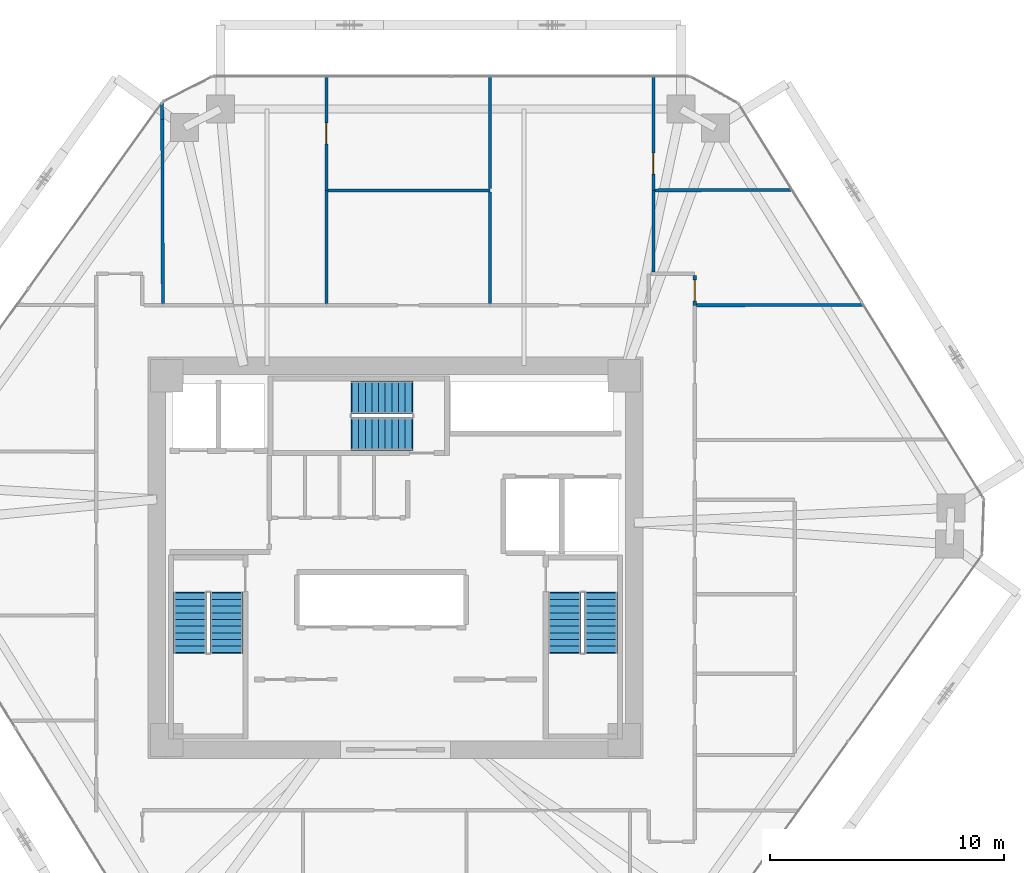
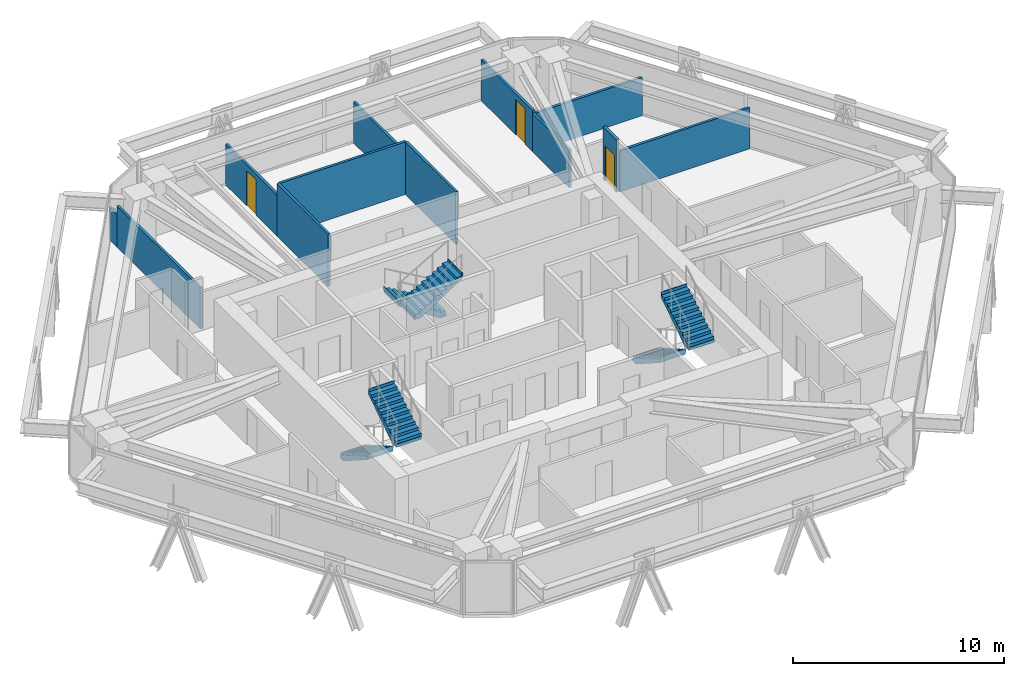
# One storey, part 15 of 16: 12 walls, 6 stair flights, 3 doors, 3 openings, 3 elements without a shape of their own.
"""IFC4 building model written with IfcOpenShell, lengths in metres."""

import ifcopenshell
import ifcopenshell.guid

model = None  # the IFC model being written
_history = None  # IfcOwnerHistory: only IFC2X3 demands one
_inside = {}  # id of a spatial element -> (the spatial element, [elements in it])
_under = {}  # id of a project, library or spatial element -> (it, [spatial elements below it])
_declared = {}  # id of a project -> (the project, [libraries it declares])
_typed = {}  # id of a type object -> (the type object, [elements of that type])
_made_of = {}  # id of a material, layer set ... -> (it, [elements and type objects made of it])


def new_model(schema):
    """Start an empty IFC model of exactly this schema.

    Asked for "IFC4X3", IfcOpenShell would pick the latest addendum, in which some entities
    have other attributes; the version numbers below select the first issue.
    IFC2X3 requires an IfcOwnerHistory on every rooted entity: one is made here for all.
    """
    global model, _history
    if schema == "IFC4X3":
        model = ifcopenshell.file(schema_version=(4, 3, 0, 0))
    else:
        model = ifcopenshell.file(schema=schema)
    _inside.clear()
    _under.clear()
    _declared.clear()
    _typed.clear()
    _made_of.clear()
    _history = None
    if model.schema == "IFC2X3":
        org = make("IfcOrganization", Name="unknown")
        user = make(
            "IfcPersonAndOrganization",
            ThePerson=make("IfcPerson", FamilyName="unknown"),
            TheOrganization=org,
        )
        app = make(
            "IfcApplication",
            ApplicationDeveloper=org,
            Version="unknown",
            ApplicationFullName="unknown",
            ApplicationIdentifier="unknown",
        )
        _history = make(
            "IfcOwnerHistory",
            OwningUser=user,
            OwningApplication=app,
            ChangeAction="ADDED",
            CreationDate=0,
        )
    return model


def make(cls, **values):
    """One entity of the class cls with the attributes given. An attribute that is None is left unset."""
    return model.create_entity(
        cls, **{name: value for name, value in values.items() if value is not None}
    )


def rooted(cls, **values):
    """An entity with a GlobalId (a new one), such as an element, a storey or a relation."""
    return make(cls, GlobalId=ifcopenshell.guid.new(), OwnerHistory=_history, **values)


def si_unit(unit_type, name, prefix=None):
    """IfcSIUnit, for example si_unit("LENGTHUNIT", "METRE", prefix="MILLI")."""
    return make("IfcSIUnit", UnitType=unit_type, Prefix=prefix, Name=name)


def assignment(units):
    """IfcUnitAssignment: the units of a project."""
    return None if units is None else make("IfcUnitAssignment", Units=units)


def point(xyz):
    """IfcCartesianPoint."""
    return None if xyz is None else make("IfcCartesianPoint", Coordinates=xyz)


def direction(xyz):
    """IfcDirection."""
    return None if xyz is None else make("IfcDirection", DirectionRatios=xyz)


def frame(location, z_axis=None, x_axis=None):
    """IfcAxis2Placement3D, a coordinate frame: its origin and axes. An axis left out is left unset."""
    return make(
        "IfcAxis2Placement3D",
        Location=point(location),
        Axis=direction(z_axis),
        RefDirection=direction(x_axis),
    )


def frame_2d(location, x_axis=None):
    """IfcAxis2Placement2D, a coordinate frame in the plane: its origin and x axis."""
    return make(
        "IfcAxis2Placement2D", Location=point(location), RefDirection=direction(x_axis)
    )


def origin():
    """The frame at (0, 0, 0) with its axes left unset."""
    return frame((0.0, 0.0, 0.0))


def place(relative_to, where):
    """IfcLocalPlacement: puts the frame where relative to a parent placement (None: the world)."""
    return make(
        "IfcLocalPlacement", PlacementRelTo=relative_to, RelativePlacement=where
    )


def context(
    kind, dimensions, precision=None, world=None, true_north=None, identifier=None
):
    """IfcGeometricRepresentationContext, for example the 3D "Model" context."""
    return make(
        "IfcGeometricRepresentationContext",
        ContextIdentifier=identifier,
        ContextType=kind,
        CoordinateSpaceDimension=dimensions,
        Precision=precision,
        WorldCoordinateSystem=world,
        TrueNorth=true_north,
    )


def subcontext(parent, identifier, kind, view, scale=None):
    """IfcGeometricRepresentationSubContext, for example "Body" below "Model"."""
    return make(
        "IfcGeometricRepresentationSubContext",
        ContextIdentifier=identifier,
        ContextType=kind,
        ParentContext=parent,
        TargetScale=scale,
        TargetView=view,
    )


def project(units=None, contexts=None):
    """IfcProject with its units and contexts."""
    return rooted(
        "IfcProject",
        Name="project",
        RepresentationContexts=contexts,
        UnitsInContext=assignment(units),
    )


def spatial(cls, under=None, at=None, **own):
    """A site, building, storey or space (cls), placed at a placement, below another one or the project."""
    s = rooted(cls, ObjectPlacement=at, **own)
    if under is not None:
        _under.setdefault(under.id(), (under, []))[1].append(s)
    return s


def polyline(points):
    """IfcPolyline through the points."""
    return make("IfcPolyline", Points=[point(p) for p in points])


def profile(cls, at=None, kind="AREA", **sizes):
    """A parametric profile (cls). Its sizes go by their IFC names, for example OverallWidth=200.0."""
    return make(cls, ProfileType=kind, Position=at, **sizes)


def rectangle(**sizes):
    """IfcRectangleProfileDef."""
    return profile("IfcRectangleProfileDef", **sizes)


def outline(outer, holes=None, kind="AREA"):
    """IfcArbitraryClosedProfileDef: a profile drawn as a closed curve; with holes, ...WithVoids."""
    if holes is None:
        return make("IfcArbitraryClosedProfileDef", ProfileType=kind, OuterCurve=outer)
    return make(
        "IfcArbitraryProfileDefWithVoids",
        ProfileType=kind,
        OuterCurve=outer,
        InnerCurves=holes,
    )


def extrude(swept, where, along, depth):
    """IfcExtrudedAreaSolid: the profile swept, set in the frame where, extruded along a direction by depth."""
    return make(
        "IfcExtrudedAreaSolid",
        SweptArea=swept,
        Position=where,
        ExtrudedDirection=direction(along),
        Depth=depth,
    )


def shape(context_of_items, identifier, shape_type, items):
    """IfcShapeRepresentation: the items that make up one representation, for example the "Body"."""
    return make(
        "IfcShapeRepresentation",
        ContextOfItems=context_of_items,
        RepresentationIdentifier=identifier,
        RepresentationType=shape_type,
        Items=items,
    )


def source(mapping_origin, context_of_items, identifier, shape_type, items):
    """IfcRepresentationMap: a shape defined once, which mapped items show again and again."""
    return make(
        "IfcRepresentationMap",
        MappingOrigin=mapping_origin,
        MappedRepresentation=shape(context_of_items, identifier, shape_type, items),
    )


def transform(
    local_origin,
    x_axis=None,
    y_axis=None,
    z_axis=None,
    scale=None,
    scale2=None,
    scale3=None,
    uniform=True,
):
    """IfcCartesianTransformationOperator3D, or its non-uniform kind. x_axis, y_axis, z_axis: its Axis1, 2, 3."""
    if uniform:
        return make(
            "IfcCartesianTransformationOperator3D",
            Axis1=direction(x_axis),
            Axis2=direction(y_axis),
            LocalOrigin=point(local_origin),
            Scale=scale,
            Axis3=direction(z_axis),
        )
    return make(
        "IfcCartesianTransformationOperator3DnonUniform",
        Axis1=direction(x_axis),
        Axis2=direction(y_axis),
        LocalOrigin=point(local_origin),
        Scale=scale,
        Axis3=direction(z_axis),
        Scale2=scale2,
        Scale3=scale3,
    )


def mapped(mapping_source, mapping_target):
    """IfcMappedItem: shows the shape of a source again, moved by a transform."""
    return make(
        "IfcMappedItem", MappingSource=mapping_source, MappingTarget=mapping_target
    )


def material(Name=None, Category=None):
    """IfcMaterial."""
    return make("IfcMaterial", Name=Name, Category=Category)


def layer(
    of_material, thickness, ventilated=None, Name=None, Category=None, Priority=None
):
    """IfcMaterialLayer: one layer of a wall or slab, of a material (None: an air gap)."""
    return make(
        "IfcMaterialLayer",
        Material=of_material,
        LayerThickness=thickness,
        IsVentilated=ventilated,
        Name=Name,
        Category=Category,
        Priority=Priority,
    )


def layer_set(layers, Name=None):
    """IfcMaterialLayerSet."""
    return make("IfcMaterialLayerSet", MaterialLayers=layers, LayerSetName=Name)


def made_of(thing, what):
    """Note that an element or type object is made of a material, layer set ...; save() writes the relation."""
    if what is not None:
        _made_of.setdefault(what.id(), (what, []))[1].append(thing)
    return thing


def type_object(cls, material=None, **own):
    """A type object (cls), such as IfcWallType, which elements share."""
    return made_of(rooted(cls, **own), material)


def type_shapes(of_type, sources):
    """Give a type object the sources (RepresentationMaps) that its elements show as mapped items."""
    of_type.RepresentationMaps = sources


def element(
    cls,
    number,
    at=None,
    inside=None,
    cuts=None,
    type_object=None,
    material=None,
    context=None,
    identifier="Body",
    shape_type=None,
    held_by="IfcProductDefinitionShape",
    body=None,
    shapes=None,
    **own,
):
    """One element of the class cls, such as IfcWall. Its Tag is "e" and its number.

    at: its placement. inside: the storey or other place that contains it. cuts: it is an
    opening in that element (IfcRelVoidsElement). A single representation is given by context,
    identifier, shape_type and body (its items); several are given by shapes. held_by: the class
    of the entity that holds the representations. save() writes the other relations.
    """
    e = rooted(cls, Tag="e%d" % number, ObjectPlacement=at, **own)
    if body is not None:
        shapes = [shape(context, identifier, shape_type, body)]
    if shapes is not None:
        e.Representation = make(held_by, Representations=shapes)
    if inside is not None:
        _inside.setdefault(inside.id(), (inside, []))[1].append(e)
    if cuts is not None:
        rooted(
            "IfcRelVoidsElement", RelatingBuildingElement=cuts, RelatedOpeningElement=e
        )
    if type_object is not None:
        _typed.setdefault(type_object.id(), (type_object, []))[1].append(e)
    return made_of(e, material)


def fill(opening, filler):
    """IfcRelFillsElement: the door or window that sits in an opening."""
    return rooted(
        "IfcRelFillsElement",
        RelatingOpeningElement=opening,
        RelatedBuildingElement=filler,
    )


def aggregate(whole, parts):
    """IfcRelAggregates: a whole, such as a stair, and the parts it consists of."""
    return rooted("IfcRelAggregates", RelatingObject=whole, RelatedObjects=parts)


def save(model, path):
    """Write the relations noted so far, then the file.

    IfcRelAggregates (storeys below a building ...), IfcRelContainedInSpatialStructure (elements
    in a storey), IfcRelDefinesByType, IfcRelAssociatesMaterial and IfcRelDeclares: one each for
    every whole, place, type object, material and project.
    """
    for whole, parts in _under.values():
        aggregate(whole, parts)
    for where, things in _inside.values():
        rooted(
            "IfcRelContainedInSpatialStructure",
            RelatedElements=things,
            RelatingStructure=where,
        )
    for kind, things in _typed.values():
        rooted("IfcRelDefinesByType", RelatedObjects=things, RelatingType=kind)
    for what, things in _made_of.values():
        rooted("IfcRelAssociatesMaterial", RelatedObjects=things, RelatingMaterial=what)
    for by, libraries in _declared.values():
        rooted("IfcRelDeclares", RelatingContext=by, RelatedDefinitions=libraries)
    model.write(path)


model = new_model("IFC4")

# Units and contexts
model_context = context("Model", 3, precision=1e-05, world=origin(), true_north=direction((0.0, 1.0)))
body_context = subcontext(model_context, "Body", "Model", "MODEL_VIEW")
ifc_project = project(units=[si_unit("LENGTHUNIT", "METRE"), si_unit("AREAUNIT", "SQUARE_METRE"), si_unit("VOLUMEUNIT", "CUBIC_METRE"), si_unit("PLANEANGLEUNIT", "RADIAN"), si_unit("MASSUNIT", "GRAM", prefix="KILO")], contexts=[model_context])

# Site, building, storey
site_placement = place(None, origin())
site = spatial("IfcSite", under=ifc_project, at=site_placement, CompositionType="ELEMENT")
building_placement = place(site_placement, origin())
building = spatial("IfcBuilding", under=site, at=building_placement, Name="Durnholm Broadcast Tower", CompositionType="ELEMENT")
storey_placement = place(building_placement, frame((0.0, 0.0, 110.699951171875)))
storey = spatial("IfcBuildingStorey", under=building, at=storey_placement, Name="L29", CompositionType="ELEMENT", Elevation=110.699951171875)

# Walls
ifc_material_1 = material(Name="Gypsum Metal Stud Partition", Category="concrete")
ifc_layer_1 = layer(ifc_material_1, 0.135009765625)
ifc_layer_set_1 = layer_set([ifc_layer_1], Name="Gypsum Metal Stud Partition")
wall_type_1 = type_object("IfcWallType", Name="WALL-PART-135", PredefinedType="PARTITIONING", material=ifc_layer_set_1)
wall_1_placement = place(storey_placement, frame((-9.98974609375, 18.75634765625, 0.0), z_axis=(0.0, 0.0, 1.0), x_axis=(0.003754822251, -0.99999295063, 0.0)))
element("IfcWall", 1, at=wall_1_placement, inside=storey, type_object=wall_type_1, Name="L29 room dividing partition 11.12", PredefinedType="PARTITIONING", context=body_context, shape_type="SweptSolid", body=[
    extrude(rectangle(XDim=7.867431640625, YDim=0.135009765625, at=frame_2d((3.93359375, 0.0))), origin(), (0.0, 0.0, 1.0), 2.380126953125),
])
wall_2_placement = place(storey_placement, frame((-9.992431640625, 19.478515625, 0.0), z_axis=(0.0, 0.0, 1.0), x_axis=(0.003718703158, -0.9999930856, 0.0)))
element("IfcWall", 2, at=wall_2_placement, inside=storey, type_object=wall_type_1, Name="L29 room dividing partition 11.12", PredefinedType="PARTITIONING", context=body_context, shape_type="SweptSolid", body=[
    extrude(rectangle(XDim=0.72216796875, YDim=0.135009765625, at=frame_2d((0.361083984375, 0.0))), origin(), (0.0, 0.0, 1.0), 1.877197265625),
])
wall_3_placement = place(storey_placement, frame((-2.9599609375, 15.73291015625, 0.0), z_axis=(0.0, 0.0, 1.0), x_axis=(0.0, -1.0, 0.0)))
element("IfcWall", 3, at=wall_3_placement, inside=storey, type_object=wall_type_1, Name="L29 room dividing partition 12.13", PredefinedType="PARTITIONING", context=body_context, shape_type="SweptSolid", body=[
    extrude(rectangle(XDim=4.843994140625, YDim=0.135009765625, at=frame_2d((2.421875, 0.0))), origin(), (0.0, 0.0, 1.0), 3.045166015625),
])

# Wall, opening, door
wall_4_placement = place(storey_placement, frame((-2.9599609375, 20.614990234375, 0.0), z_axis=(0.0, 0.0, 1.0), x_axis=(0.0, -1.0, 0.0)))
wall_4 = element("IfcWall", 4, at=wall_4_placement, inside=storey, type_object=wall_type_1, Name="L29 room dividing partition 12.14", PredefinedType="PARTITIONING", context=body_context, shape_type="SweptSolid", body=[
    extrude(rectangle(XDim=4.882080078125, YDim=0.135009765625, at=frame_2d((2.44091796875, 0.0))), origin(), (0.0, 0.0, 1.0), 2.380126953125),
])
opening_1_placement = place(wall_4_placement, frame((1.990966796875, 0.0, 0.0)))
opening_1 = element("IfcOpeningElement", 5, at=opening_1_placement, cuts=wall_4, Name="Opening DW-90L", PredefinedType="OPENING", context=body_context, shape_type="SweptSolid", body=[
    extrude(rectangle(XDim=0.89990234375, YDim=2.050048828125, at=frame_2d((0.449951171875, 1.02490234375))), frame((0.0, 0.07763671875, 0.0), z_axis=(0.0, -1.0, 0.0), x_axis=(1.0, 0.0, 0.0)), (0.0, 0.0, 1.0), 0.155029296875),
])
ifc_material_2 = material(Name="Laminate Restroom Door", Category="steel")
ifc_layer_2 = layer(ifc_material_2, 0.050048828125)
ifc_layer_set_2 = layer_set([ifc_layer_2], Name="Laminate Restroom Door")
door_type_1 = type_object("IfcDoorType", Name="DOOR-WC-900L", OperationType="NOTDEFINED", PredefinedType="DOOR", material=ifc_layer_set_2)
shared_shape_1 = source(origin(), body_context, "Body", "SweptSolid", [
    extrude(rectangle(XDim=0.89990234375, YDim=2.050048828125, at=frame_2d((0.449951171875, 1.02490234375))), frame((0.0, 0.02490234375, 0.0), z_axis=(0.0, -1.0, 0.0), x_axis=(1.0, 0.0, 0.0)), (0.0, 0.0, 1.0), 0.050048828125),
])
type_shapes(door_type_1, [shared_shape_1])
door_1_placement = place(opening_1_placement, origin())
door_1 = element("IfcDoor", 6, at=door_1_placement, inside=storey, type_object=door_type_1, Name="L29 Atmos Mix Office connecting door", OperationType="SINGLE_SWING_LEFT", OverallHeight=2.050048828125, OverallWidth=0.89990234375, PredefinedType="DOOR", context=body_context, shape_type="MappedRepresentation", body=[
    mapped(shared_shape_1, transform((0.0, 0.0, 0.0), x_axis=(1.0, 0.0, 0.0), y_axis=(0.0, 1.0, 0.0), z_axis=(0.0, 0.0, 1.0), scale=1.0)),
])
fill(opening_1, door_1)

# Walls
wall_5_placement = place(storey_placement, frame((-2.888427734375, 15.73291015625, 0.0), z_axis=(0.0, 0.0, 1.0), x_axis=(1.0, 0.0, 0.0)))
element("IfcWall", 7, at=wall_5_placement, inside=storey, type_object=wall_type_1, Name="L29 room dividing partition 13.14", PredefinedType="PARTITIONING", context=body_context, shape_type="SweptSolid", body=[
    extrude(rectangle(XDim=6.928466796875, YDim=0.135009765625, at=frame_2d((3.46435546875, 0.0))), origin(), (0.0, 0.0, 1.0), 3.045166015625),
])
wall_6_placement = place(storey_placement, frame((4.0400390625, 15.66162109375, 0.0), z_axis=(0.0, 0.0, 1.0), x_axis=(0.0, -1.0, 0.0)))
element("IfcWall", 8, at=wall_6_placement, inside=storey, type_object=wall_type_1, Name="L29 room dividing partition 13.15", PredefinedType="PARTITIONING", context=body_context, shape_type="SweptSolid", body=[
    extrude(rectangle(XDim=4.772705078125, YDim=0.135009765625, at=frame_2d((2.38623046875, 0.0))), origin(), (0.0, 0.0, 1.0), 3.045166015625),
])
wall_7_placement = place(storey_placement, frame((4.0400390625, 20.614990234375, 0.0), z_axis=(0.0, 0.0, 1.0), x_axis=(0.0, -1.0, 0.0)))
element("IfcWall", 9, at=wall_7_placement, inside=storey, type_object=wall_type_1, Name="L29 room dividing partition 14.15", PredefinedType="PARTITIONING", context=body_context, shape_type="SweptSolid", body=[
    extrude(rectangle(XDim=4.810546875, YDim=0.135009765625, at=frame_2d((2.4052734375, 0.0))), origin(), (0.0, 0.0, 1.0), 2.380126953125),
])
wall_8_placement = place(storey_placement, frame((11.0400390625, 15.73291015625, 0.0), z_axis=(0.0, 0.0, 1.0), x_axis=(0.0, -1.0, 0.0)))
element("IfcWall", 10, at=wall_8_placement, inside=storey, type_object=wall_type_1, Name="L29 room dividing partition 15.16", PredefinedType="PARTITIONING", context=body_context, shape_type="SweptSolid", body=[
    extrude(rectangle(XDim=3.493896484375, YDim=0.135009765625, at=frame_2d((1.7470703125, 0.0))), origin(), (0.0, 0.0, 1.0), 2.212158203125),
])

# Wall, opening, door
wall_9_placement = place(storey_placement, frame((11.0400390625, 20.614990234375, 0.0), z_axis=(0.0, 0.0, 1.0), x_axis=(0.0, -1.0, 0.0)))
wall_9 = element("IfcWall", 11, at=wall_9_placement, inside=storey, type_object=wall_type_1, Name="L29 room dividing partition 15.17", PredefinedType="PARTITIONING", context=body_context, shape_type="SweptSolid", body=[
    extrude(rectangle(XDim=4.882080078125, YDim=0.135009765625, at=frame_2d((2.44091796875, 0.0))), origin(), (0.0, 0.0, 1.0), 2.380126953125),
])
opening_2_placement = place(wall_9_placement, frame((3.2900390625, 0.0, 0.0)))
opening_2 = element("IfcOpeningElement", 12, at=opening_2_placement, cuts=wall_9, Name="Opening DW-90L", PredefinedType="OPENING", context=body_context, shape_type="SweptSolid", body=[
    extrude(rectangle(XDim=0.89990234375, YDim=2.050048828125, at=frame_2d((0.449951171875, 1.02490234375))), frame((0.0, 0.07763671875, 0.0), z_axis=(0.0, -1.0, 0.0), x_axis=(1.0, 0.0, 0.0)), (0.0, 0.0, 1.0), 0.155029296875),
])
door_2_placement = place(opening_2_placement, origin())
door_2 = element("IfcDoor", 13, at=door_2_placement, inside=storey, type_object=door_type_1, Name="L29 Render Engineer Office connecting door", OperationType="SINGLE_SWING_LEFT", OverallHeight=2.050048828125, OverallWidth=0.89990234375, PredefinedType="DOOR", context=body_context, shape_type="MappedRepresentation", body=[
    mapped(shared_shape_1, transform((0.0, 0.0, 0.0), x_axis=(1.0, 0.0, 0.0), y_axis=(0.0, 1.0, 0.0), z_axis=(0.0, 0.0, 1.0), scale=1.0)),
])
fill(opening_2, door_2)

# Walls
wall_10_placement = place(storey_placement, frame((11.111572265625, 15.7333984375, 0.0), z_axis=(0.0, 0.0, 1.0), x_axis=(0.99999375129, 0.003535163403, 0.0)))
element("IfcWall", 14, at=wall_10_placement, inside=storey, type_object=wall_type_1, Name="L29 room dividing partition 16.17", PredefinedType="PARTITIONING", context=body_context, shape_type="SweptSolid", body=[
    extrude(rectangle(XDim=5.8701171875, YDim=0.135009765625, at=frame_2d((2.93505859375, 0.0))), origin(), (0.0, 0.0, 1.0), 2.212158203125),
])
wall_11_placement = place(storey_placement, frame((20.03515625, 10.8310546875, 0.0), z_axis=(0.0, 0.0, 1.0), x_axis=(-0.999995783715, -0.002903885812, 0.0)))
element("IfcWall", 15, at=wall_11_placement, inside=storey, type_object=wall_type_1, Name="L29 room dividing partition 16.27", PredefinedType="PARTITIONING", context=body_context, shape_type="SweptSolid", body=[
    extrude(rectangle(XDim=7.146240234375, YDim=0.135009765625, at=frame_2d((3.5732421875, 0.0))), origin(), (0.0, 0.0, 1.0), 2.380126953125),
])

# Wall, opening, door
ifc_material_3 = material(Name="Acoustic Gypsum Stud Partition", Category="concrete")
ifc_layer_3 = layer(ifc_material_3, 0.14990234375)
ifc_layer_set_3 = layer_set([ifc_layer_3], Name="Acoustic Gypsum Stud Partition")
wall_type_2 = type_object("IfcWallType", Name="WALL-PART-150", PredefinedType="PARTITIONING", material=ifc_layer_set_3)
wall_12_placement = place(storey_placement, frame((12.81005859375, 10.81005859375, 0.0), z_axis=(0.0, 0.0, 1.0), x_axis=(0.0, 1.0, 0.0)))
wall_12 = element("IfcWall", 16, at=wall_12_placement, inside=storey, type_object=wall_type_2, Name="L29 Creative Director Office corridor partition", PredefinedType="PARTITIONING", context=body_context, shape_type="SweptSolid", body=[
    extrude(rectangle(XDim=1.27099609375, YDim=0.14990234375, at=frame_2d((0.635498046875, 0.0))), origin(), (0.0, 0.0, 1.0), 3.045166015625),
])
opening_3_placement = place(wall_12_placement, frame((0.185546875, 0.0, 0.0)))
opening_3 = element("IfcOpeningElement", 17, at=opening_3_placement, cuts=wall_12, Name="Opening DW-90R", PredefinedType="OPENING", context=body_context, shape_type="SweptSolid", body=[
    extrude(rectangle(XDim=0.89990234375, YDim=2.050048828125, at=frame_2d((0.449951171875, 1.02490234375))), frame((0.0, 0.0849609375, 0.0), z_axis=(0.0, -1.0, 0.0), x_axis=(1.0, 0.0, 0.0)), (0.0, 0.0, 1.0), 0.169921875),
])
ifc_layer_4 = layer(ifc_material_2, 0.050048828125)
ifc_layer_set_4 = layer_set([ifc_layer_4], Name="Laminate Restroom Door")
door_type_2 = type_object("IfcDoorType", Name="DOOR-WC-900R", OperationType="NOTDEFINED", PredefinedType="DOOR", material=ifc_layer_set_4)
shared_shape_2 = source(origin(), body_context, "Body", "SweptSolid", [
    extrude(rectangle(XDim=0.89990234375, YDim=2.050048828125, at=frame_2d((0.449951171875, 1.02490234375))), frame((0.0, 0.02490234375, 0.0), z_axis=(0.0, -1.0, 0.0), x_axis=(1.0, 0.0, 0.0)), (0.0, 0.0, 1.0), 0.050048828125),
])
type_shapes(door_type_2, [shared_shape_2])
door_3_placement = place(opening_3_placement, origin())
door_3 = element("IfcDoor", 18, at=door_3_placement, inside=storey, type_object=door_type_2, Name="L29 Creative Director Office entrance door", OperationType="SINGLE_SWING_RIGHT", OverallHeight=2.050048828125, OverallWidth=0.89990234375, PredefinedType="DOOR", context=body_context, shape_type="MappedRepresentation", body=[
    mapped(shared_shape_2, transform((0.0, 0.0, 0.0), x_axis=(1.0, 0.0, 0.0), y_axis=(0.0, 1.0, 0.0), z_axis=(0.0, 0.0, 1.0), scale=1.0)),
])
fill(opening_3, door_3)

# Stair, stair flights
ifc_material_4 = material(Name="Concrete C50/60", Category="concrete")
stair_type = type_object("IfcStairType", Name="STAIR-DL-20R1650", PredefinedType="HALF_TURN_STAIR", material=ifc_material_4)
stair_1_placement = place(storey_placement, origin())
stair_1 = element("IfcStair", 19, at=stair_1_placement, inside=storey, type_object=stair_type, Name="L29 ST-1", PredefinedType="HALF_TURN_STAIR")
stair_flight_type = type_object("IfcStairFlightType", Name="FLIGHT-DL-20R1650", PredefinedType="STRAIGHT", material=ifc_material_4)
stair_flight_1_placement = place(storey_placement, frame((-8.800048828125, -1.5, 0.0), z_axis=(0.0, 0.0, 1.0), x_axis=(0.0, -1.0, 0.0)))
stair_flight_1 = element("IfcStairFlight", 20, at=stair_flight_1_placement, type_object=stair_flight_type, Name="ST-1 flight 1", NumberOfRisers=10, NumberOfTreads=9, PredefinedType="STRAIGHT", RiserHeight=0.165, TreadLength=0.285, context=body_context, shape_type="SweptSolid", body=[
    extrude(outline(polyline([(-0.0400390625, -0.14990234375), (-0.0400390625, 0.0), (0.0, 0.0), (0.0, 0.1650390625), (0.284912109375, 0.1650390625), (0.284912109375, 0.330078125), (0.570068359375, 0.330078125), (0.570068359375, 0.4951171875), (0.85498046875, 0.4951171875), (0.85498046875, 0.659912109375), (1.139892578125, 0.659912109375), (1.139892578125, 0.824951171875), (1.425048828125, 0.824951171875), (1.425048828125, 0.989990234375), (1.7099609375, 0.989990234375), (1.7099609375, 1.155029296875), (1.9951171875, 1.155029296875), (1.9951171875, 1.320068359375), (2.280029296875, 1.320068359375), (2.280029296875, 1.485107421875), (2.56494140625, 1.485107421875), (2.56494140625, 1.64990234375), (2.60498046875, 1.64990234375), (2.60498046875, 1.5), (2.56494140625, 1.311767578125), (0.299072265625, -0.14990234375), (-0.0400390625, -0.14990234375)])), frame((0.0, 0.699951171875, 0.0), z_axis=(0.0, -1.0, 0.0), x_axis=(1.0, 0.0, 0.0)), (0.0, 0.0, 1.0), 1.39990234375),
])
stair_flight_2_placement = place(storey_placement, frame((-7.239990234375, -4.06494140625, 1.650146484375), z_axis=(0.0, 0.0, 1.0), x_axis=(0.0, 1.0, 0.0)))
stair_flight_2 = element("IfcStairFlight", 21, at=stair_flight_2_placement, type_object=stair_flight_type, Name="ST-1 flight 2", NumberOfRisers=10, NumberOfTreads=9, PredefinedType="STRAIGHT", RiserHeight=0.165, TreadLength=0.285, context=body_context, shape_type="SweptSolid", body=[
    extrude(outline(polyline([(-0.0400390625, -0.14990234375), (-0.0400390625, 0.0), (0.0, 0.0), (0.0, 0.1650390625), (0.284912109375, 0.1650390625), (0.284912109375, 0.330078125), (0.570068359375, 0.330078125), (0.570068359375, 0.4951171875), (0.85498046875, 0.4951171875), (0.85498046875, 0.659912109375), (1.139892578125, 0.659912109375), (1.139892578125, 0.824951171875), (1.425048828125, 0.824951171875), (1.425048828125, 0.989990234375), (1.7099609375, 0.989990234375), (1.7099609375, 1.155029296875), (1.9951171875, 1.155029296875), (1.9951171875, 1.320068359375), (2.280029296875, 1.320068359375), (2.280029296875, 1.485107421875), (2.56494140625, 1.485107421875), (2.56494140625, 1.64990234375), (2.60498046875, 1.64990234375), (2.60498046875, 1.5), (2.56494140625, 1.311767578125), (0.299072265625, -0.14990234375), (-0.0400390625, -0.14990234375)])), frame((0.0, 0.699951171875, 0.0), z_axis=(0.0, -1.0, 0.0), x_axis=(1.0, 0.0, 0.0)), (0.0, 0.0, 1.0), 1.39990234375),
])
aggregate(stair_1, [stair_flight_1, stair_flight_2])

stair_2_placement = place(storey_placement, origin())
stair_2 = element("IfcStair", 22, at=stair_2_placement, inside=storey, type_object=stair_type, Name="L29 ST-2", PredefinedType="HALF_TURN_STAIR")
stair_flight_3_placement = place(storey_placement, frame((7.239990234375, -1.5, 0.0), z_axis=(0.0, 0.0, 1.0), x_axis=(0.0, -1.0, 0.0)))
stair_flight_3 = element("IfcStairFlight", 23, at=stair_flight_3_placement, type_object=stair_flight_type, Name="ST-2 flight 1", NumberOfRisers=10, NumberOfTreads=9, PredefinedType="STRAIGHT", RiserHeight=0.165, TreadLength=0.285, context=body_context, shape_type="SweptSolid", body=[
    extrude(outline(polyline([(-0.0400390625, -0.14990234375), (-0.0400390625, 0.0), (0.0, 0.0), (0.0, 0.1650390625), (0.284912109375, 0.1650390625), (0.284912109375, 0.330078125), (0.570068359375, 0.330078125), (0.570068359375, 0.4951171875), (0.85498046875, 0.4951171875), (0.85498046875, 0.659912109375), (1.139892578125, 0.659912109375), (1.139892578125, 0.824951171875), (1.425048828125, 0.824951171875), (1.425048828125, 0.989990234375), (1.7099609375, 0.989990234375), (1.7099609375, 1.155029296875), (1.9951171875, 1.155029296875), (1.9951171875, 1.320068359375), (2.280029296875, 1.320068359375), (2.280029296875, 1.485107421875), (2.56494140625, 1.485107421875), (2.56494140625, 1.64990234375), (2.60498046875, 1.64990234375), (2.60498046875, 1.5), (2.56494140625, 1.311767578125), (0.299072265625, -0.14990234375), (-0.0400390625, -0.14990234375)])), frame((0.0, 0.699951171875, 0.0), z_axis=(0.0, -1.0, 0.0), x_axis=(1.0, 0.0, 0.0)), (0.0, 0.0, 1.0), 1.39990234375),
])
stair_flight_4_placement = place(storey_placement, frame((8.800048828125, -4.06494140625, 1.650146484375), z_axis=(0.0, 0.0, 1.0), x_axis=(0.0, 1.0, 0.0)))
stair_flight_4 = element("IfcStairFlight", 24, at=stair_flight_4_placement, type_object=stair_flight_type, Name="ST-2 flight 2", NumberOfRisers=10, NumberOfTreads=9, PredefinedType="STRAIGHT", RiserHeight=0.165, TreadLength=0.285, context=body_context, shape_type="SweptSolid", body=[
    extrude(outline(polyline([(-0.0400390625, -0.14990234375), (-0.0400390625, 0.0), (0.0, 0.0), (0.0, 0.1650390625), (0.284912109375, 0.1650390625), (0.284912109375, 0.330078125), (0.570068359375, 0.330078125), (0.570068359375, 0.4951171875), (0.85498046875, 0.4951171875), (0.85498046875, 0.659912109375), (1.139892578125, 0.659912109375), (1.139892578125, 0.824951171875), (1.425048828125, 0.824951171875), (1.425048828125, 0.989990234375), (1.7099609375, 0.989990234375), (1.7099609375, 1.155029296875), (1.9951171875, 1.155029296875), (1.9951171875, 1.320068359375), (2.280029296875, 1.320068359375), (2.280029296875, 1.485107421875), (2.56494140625, 1.485107421875), (2.56494140625, 1.64990234375), (2.60498046875, 1.64990234375), (2.60498046875, 1.5), (2.56494140625, 1.311767578125), (0.299072265625, -0.14990234375), (-0.0400390625, -0.14990234375)])), frame((0.0, 0.699951171875, 0.0), z_axis=(0.0, -1.0, 0.0), x_axis=(1.0, 0.0, 0.0)), (0.0, 0.0, 1.0), 1.39990234375),
])
aggregate(stair_2, [stair_flight_3, stair_flight_4])

stair_3_placement = place(storey_placement, origin())
stair_3 = element("IfcStair", 25, at=stair_3_placement, inside=storey, type_object=stair_type, Name="L29 ST-3", PredefinedType="HALF_TURN_STAIR")
stair_flight_5_placement = place(storey_placement, frame((0.699951171875, 6.860107421875, 0.0), z_axis=(0.0, 0.0, 1.0), x_axis=(-1.0, 0.0, 0.0)))
stair_flight_5 = element("IfcStairFlight", 26, at=stair_flight_5_placement, type_object=stair_flight_type, Name="ST-3 flight 1", NumberOfRisers=10, NumberOfTreads=9, PredefinedType="STRAIGHT", RiserHeight=0.165, TreadLength=0.285, context=body_context, shape_type="SweptSolid", body=[
    extrude(outline(polyline([(-0.0400390625, -0.14990234375), (-0.0400390625, 0.0), (0.0, 0.0), (0.0, 0.1650390625), (0.284912109375, 0.1650390625), (0.284912109375, 0.330078125), (0.570068359375, 0.330078125), (0.570068359375, 0.4951171875), (0.85498046875, 0.4951171875), (0.85498046875, 0.659912109375), (1.139892578125, 0.659912109375), (1.139892578125, 0.824951171875), (1.425048828125, 0.824951171875), (1.425048828125, 0.989990234375), (1.7099609375, 0.989990234375), (1.7099609375, 1.155029296875), (1.9951171875, 1.155029296875), (1.9951171875, 1.320068359375), (2.280029296875, 1.320068359375), (2.280029296875, 1.485107421875), (2.56494140625, 1.485107421875), (2.56494140625, 1.64990234375), (2.60498046875, 1.64990234375), (2.60498046875, 1.5), (2.56494140625, 1.311767578125), (0.299072265625, -0.14990234375), (-0.0400390625, -0.14990234375)])), frame((0.0, 0.699951171875, 0.0), z_axis=(0.0, -1.0, 0.0), x_axis=(1.0, 0.0, 0.0)), (0.0, 0.0, 1.0), 1.39990234375),
])
stair_flight_6_placement = place(storey_placement, frame((-1.864990234375, 5.300048828125, 1.650146484375), z_axis=(0.0, 0.0, 1.0), x_axis=(1.0, 0.0, 0.0)))
stair_flight_6 = element("IfcStairFlight", 27, at=stair_flight_6_placement, type_object=stair_flight_type, Name="ST-3 flight 2", NumberOfRisers=10, NumberOfTreads=9, PredefinedType="STRAIGHT", RiserHeight=0.165, TreadLength=0.285, context=body_context, shape_type="SweptSolid", body=[
    extrude(outline(polyline([(-0.0400390625, -0.14990234375), (-0.0400390625, 0.0), (0.0, 0.0), (0.0, 0.1650390625), (0.284912109375, 0.1650390625), (0.284912109375, 0.330078125), (0.570068359375, 0.330078125), (0.570068359375, 0.4951171875), (0.85498046875, 0.4951171875), (0.85498046875, 0.659912109375), (1.139892578125, 0.659912109375), (1.139892578125, 0.824951171875), (1.425048828125, 0.824951171875), (1.425048828125, 0.989990234375), (1.7099609375, 0.989990234375), (1.7099609375, 1.155029296875), (1.9951171875, 1.155029296875), (1.9951171875, 1.320068359375), (2.280029296875, 1.320068359375), (2.280029296875, 1.485107421875), (2.56494140625, 1.485107421875), (2.56494140625, 1.64990234375), (2.60498046875, 1.64990234375), (2.60498046875, 1.5), (2.56494140625, 1.311767578125), (0.299072265625, -0.14990234375), (-0.0400390625, -0.14990234375)])), frame((0.0, 0.699951171875, 0.0), z_axis=(0.0, -1.0, 0.0), x_axis=(1.0, 0.0, 0.0)), (0.0, 0.0, 1.0), 1.39990234375),
])
aggregate(stair_3, [stair_flight_5, stair_flight_6])

save(model, "model.ifc")
